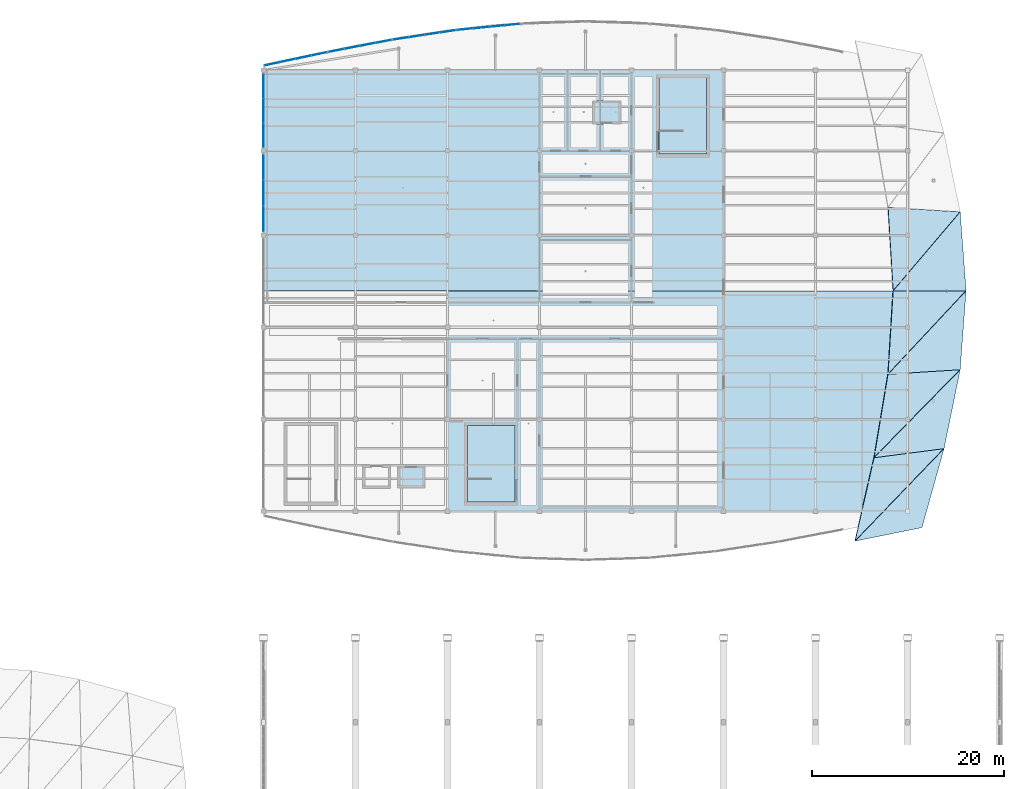
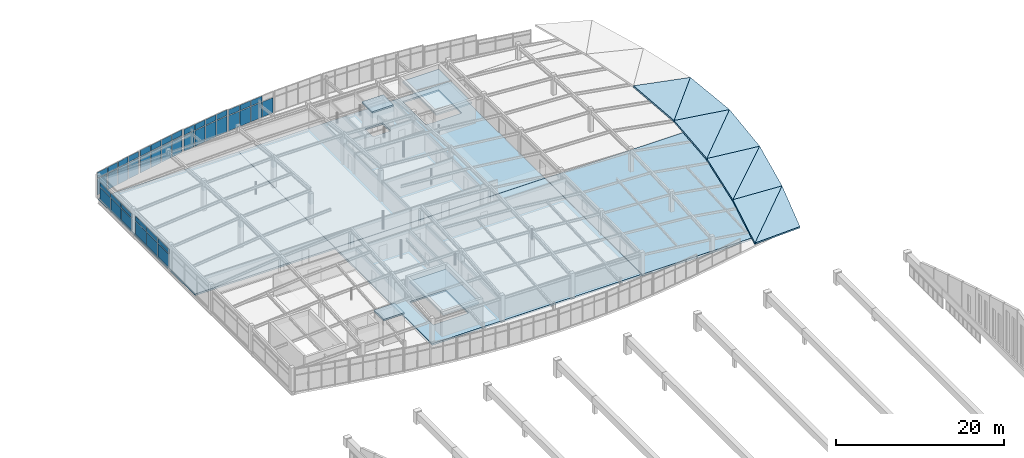
# One storey, part 56 of 65: 43 plates, 16 slabs, 6 elements without a shape of their own.
"""IFC4 building model written with IfcOpenShell, lengths in metres."""

from ifc_helpers import new_model, si_unit, direction, frame, origin, origin_2d, place, context, subcontext, project, spatial, polyline, rectangle, outline, extrude, material, layer, layer_set, type_object, element, aggregate, save


model = new_model("IFC4")

# Units and contexts
model_context = context("Model", 3, precision=1e-05, world=origin(), true_north=direction((0.0, 1.0)))
body_context = subcontext(model_context, "Body", "Model", "MODEL_VIEW")
ifc_project = project(units=[si_unit("LENGTHUNIT", "METRE"), si_unit("AREAUNIT", "SQUARE_METRE"), si_unit("VOLUMEUNIT", "CUBIC_METRE"), si_unit("PLANEANGLEUNIT", "RADIAN"), si_unit("MASSUNIT", "GRAM", prefix="KILO")], contexts=[model_context])

# Site, building, storey
site_placement = place(None, origin())
site = spatial("IfcSite", under=ifc_project, at=site_placement, CompositionType="ELEMENT")
building_placement = place(site_placement, origin())
building = spatial("IfcBuilding", under=site, at=building_placement, Name="Chalmorin Arch Market", CompositionType="ELEMENT")
storey_placement = place(building_placement, frame((0.0, 0.0, 14.10009765625)))
storey = spatial("IfcBuildingStorey", under=building, at=storey_placement, Name="L03", CompositionType="ELEMENT", Elevation=14.10009765625)

# Slabs
ifc_material_1 = material(Name="Concrete C40/50", Category="concrete")
ifc_layer_1 = layer(ifc_material_1, 0.239990234375)
ifc_layer_set_1 = layer_set([ifc_layer_1], Name="Concrete C40/50")
slab_type_1 = type_object("IfcSlabType", Name="AdminFloorSlab-240", PredefinedType="FLOOR", material=ifc_layer_set_1)
slab_1_placement = place(storey_placement, frame((0.0, 0.0, -0.239990234375)))
element("IfcSlab", 1, at=slab_1_placement, inside=storey, type_object=slab_type_1, Name="FS-240-121", PredefinedType="FLOOR", context=body_context, shape_type="SweptSolid", body=[
    extrude(outline(polyline([(48.010009765625, 95.010009765625), (67.18994140625, 95.010009765625), (67.18994140625, 118.0), (48.010009765625, 118.0), (48.010009765625, 95.010009765625)])), origin(), (0.0, 0.0, 1.0), 0.239990234375),
])
slab_2_placement = place(storey_placement, frame((0.0, 0.0, -0.239990234375)))
element("IfcSlab", 2, at=slab_2_placement, inside=storey, type_object=slab_type_1, Name="FS-240-122", PredefinedType="FLOOR", context=body_context, shape_type="SweptSolid", body=[
    extrude(outline(polyline([(67.2099609375, 72.0), (95.989990234375, 72.0), (95.989990234375, 94.989990234375), (67.2099609375, 94.989990234375), (67.2099609375, 72.0)]), holes=[polyline([(69.300048828125, 75.35009765625), (74.199951171875, 75.35009765625), (74.199951171875, 80.89990234375), (69.300048828125, 80.89990234375), (69.300048828125, 75.35009765625)])]), origin(), (0.0, 0.0, 1.0), 0.239990234375),
])
slab_3_placement = place(storey_placement, frame((0.0, 0.0, -0.239990234375)))
element("IfcSlab", 3, at=slab_3_placement, inside=storey, type_object=slab_type_1, Name="FS-240-123", PredefinedType="FLOOR", context=body_context, shape_type="SweptSolid", body=[
    extrude(outline(polyline([(67.2099609375, 95.010009765625), (95.989990234375, 95.010009765625), (95.989990234375, 118.0), (67.2099609375, 118.0), (67.2099609375, 95.010009765625)]), holes=[polyline([(89.300048828125, 111.64990234375), (94.199951171875, 111.64990234375), (94.199951171875, 117.199951171875), (89.300048828125, 117.199951171875), (89.300048828125, 111.64990234375)]), polyline([(82.60009765625, 112.64990234375), (85.0, 112.64990234375), (85.0, 114.550048828125), (82.60009765625, 114.550048828125), (82.60009765625, 112.64990234375)])]), origin(), (0.0, 0.0, 1.0), 0.239990234375),
])
ifc_layer_2 = layer(ifc_material_1, 0.219970703125)
ifc_layer_set_2 = layer_set([ifc_layer_2], Name="Concrete C40/50")
slab_type_2 = type_object("IfcSlabType", Name="ColonnadeCanopySlab-220", PredefinedType="ROOF", material=ifc_layer_set_2)
slab_4_placement = place(storey_placement, frame((0.0, 0.0, 2.75)))
element("IfcSlab", 4, at=slab_4_placement, inside=storey, type_object=slab_type_2, Name="RS-SC6-CAP", PredefinedType="ROOF", context=body_context, shape_type="SweptSolid", body=[
    extrude(outline(polyline([(89.27001953125, 109.27001953125), (94.22998046875, 109.27001953125), (94.22998046875, 117.22998046875), (89.27001953125, 117.22998046875), (89.27001953125, 109.27001953125)])), origin(), (0.0, 0.0, 1.0), 0.219970703125),
])
slab_5_placement = place(storey_placement, frame((0.0, 0.0, 2.75)))
element("IfcSlab", 5, at=slab_5_placement, inside=storey, type_object=slab_type_2, Name="RS-SC7-CAP", PredefinedType="ROOF", context=body_context, shape_type="SweptSolid", body=[
    extrude(outline(polyline([(69.27001953125, 72.969970703125), (74.22998046875, 72.969970703125), (74.22998046875, 80.929931640625), (69.27001953125, 80.929931640625), (69.27001953125, 72.969970703125)])), origin(), (0.0, 0.0, 1.0), 0.219970703125),
])
slab_6_placement = place(storey_placement, frame((0.0, 0.0, 3.64990234375)))
element("IfcSlab", 6, at=slab_6_placement, inside=storey, type_object=slab_type_2, Name="RS-LF-FF2-OVR", PredefinedType="ROOF", context=body_context, shape_type="SweptSolid", body=[
    extrude(outline(polyline([(82.330078125, 112.3798828125), (85.27001953125, 112.3798828125), (85.27001953125, 114.820068359375), (82.330078125, 114.820068359375), (82.330078125, 112.3798828125)])), origin(), (0.0, 0.0, 1.0), 0.219970703125),
])
slab_7_placement = place(storey_placement, frame((0.0, 0.0, 3.64990234375)))
element("IfcSlab", 7, at=slab_7_placement, inside=storey, type_object=slab_type_2, Name="RS-LF-P4-OVR", PredefinedType="ROOF", context=body_context, shape_type="SweptSolid", body=[
    extrude(outline(polyline([(61.97998046875, 74.455078125), (64.820068359375, 74.455078125), (64.820068359375, 76.7451171875), (61.97998046875, 76.7451171875), (61.97998046875, 74.455078125)])), origin(), (0.0, 0.0, 1.0), 0.219970703125),
])
ifc_layer_3 = layer(ifc_material_1, 0.300048828125)
ifc_layer_set_3 = layer_set([ifc_layer_3], Name="Concrete C40/50")
slab_type_3 = type_object("IfcSlabType", Name="RoofGardenDeckSlab-300", PredefinedType="FLOOR", material=ifc_layer_set_3)
slab_8_placement = place(storey_placement, frame((0.0, 0.0, -0.300048828125)))
element("IfcSlab", 8, at=slab_8_placement, inside=storey, type_object=slab_type_3, Name="ETS-300-124", PredefinedType="FLOOR", context=body_context, shape_type="SweptSolid", body=[
    extrude(outline(polyline([(96.02001953125, 72.0), (115.179931640625, 72.0), (115.179931640625, 94.989990234375), (96.02001953125, 94.989990234375), (96.02001953125, 72.0)])), origin(), (0.0, 0.0, 1.0), 0.300048828125),
])

# Curtain wall, plates
ifc_material_2 = material(Name="Aluminium 6063-T6", Category="aluminium")
ifc_layer_4 = layer(ifc_material_2, 0.159912109375)
ifc_layer_set_4 = layer_set([ifc_layer_4], Name="Aluminium 6063-T6")
curtain_wall_type_1 = type_object("IfcCurtainWallType", Name="CulinaryStudioCurtainWall-CW3-8080x2820", PredefinedType="NOTDEFINED", material=ifc_layer_set_4)
curtain_wall_1_placement = place(storey_placement, origin())
curtain_wall_1 = element("IfcCurtainWall", 9, at=curtain_wall_1_placement, inside=storey, type_object=curtain_wall_type_1, Name="CW-03-117", PredefinedType="NOTDEFINED")
ifc_material_3 = material(Name="Powder-coated Aluminium Panel", Category="aluminium")
ifc_layer_5 = layer(ifc_material_3, 0.0400390625)
ifc_layer_set_5 = layer_set([ifc_layer_5], Name="Powder-coated Aluminium Panel")
plate_type_1 = type_object("IfcPlateType", Name="ShadowboxSpandrelPanel-40", PredefinedType="CURTAIN_PANEL", material=ifc_layer_set_5)
plate_1_placement = place(storey_placement, frame((48.0, 102.506591796875, 2.07177734375), z_axis=(0.0, 0.0, 1.0), x_axis=(0.0, 1.0, 0.0)))
plate_1 = element("IfcPlate", 10, at=plate_1_placement, type_object=plate_type_1, Name="SP-40-117-01B", PredefinedType="CURTAIN_PANEL", context=body_context, shape_type="SweptSolid", body=[
    extrude(rectangle(XDim=2.61328125, YDim=0.0400390625, at=origin_2d()), origin(), (0.0, 0.0, 1.0), 0.673095703125),
])
plate_2_placement = place(storey_placement, frame((48.0, 105.199951171875, 2.07177734375), z_axis=(0.0, 0.0, 1.0), x_axis=(0.0, 1.0, 0.0)))
plate_2 = element("IfcPlate", 11, at=plate_2_placement, type_object=plate_type_1, Name="SP-40-117-02B", PredefinedType="CURTAIN_PANEL", context=body_context, shape_type="SweptSolid", body=[
    extrude(rectangle(XDim=2.61328125, YDim=0.0400390625, at=origin_2d()), origin(), (0.0, 0.0, 1.0), 0.673095703125),
])
plate_3_placement = place(storey_placement, frame((48.0, 107.893310546875, 2.07177734375), z_axis=(0.0, 0.0, 1.0), x_axis=(0.0, 1.0, 0.0)))
plate_3 = element("IfcPlate", 12, at=plate_3_placement, type_object=plate_type_1, Name="SP-40-117-03B", PredefinedType="CURTAIN_PANEL", context=body_context, shape_type="SweptSolid", body=[
    extrude(rectangle(XDim=2.61328125, YDim=0.0400390625, at=origin_2d()), origin(), (0.0, 0.0, 1.0), 0.673095703125),
])

ifc_layer_6 = layer(ifc_material_2, 0.159912109375)
ifc_layer_set_6 = layer_set([ifc_layer_6], Name="Aluminium 6063-T6")
curtain_wall_type_2 = type_object("IfcCurtainWallType", Name="CulinaryStudioCurtainWall-CW3-7680x2570", PredefinedType="NOTDEFINED", material=ifc_layer_set_6)
curtain_wall_2_placement = place(storey_placement, origin())
curtain_wall_2 = element("IfcCurtainWall", 13, at=curtain_wall_2_placement, inside=storey, type_object=curtain_wall_type_2, Name="CW-03-120", PredefinedType="NOTDEFINED")
plate_4_placement = place(storey_placement, frame((48.0, 111.239990234375, 1.892333984375), z_axis=(0.0, 0.0, 1.0), x_axis=(0.0, 1.0, 0.0)))
plate_4 = element("IfcPlate", 14, at=plate_4_placement, type_object=plate_type_1, Name="SP-40-120-01B", PredefinedType="CURTAIN_PANEL", context=body_context, shape_type="SweptSolid", body=[
    extrude(rectangle(XDim=2.47998046875, YDim=0.0400390625, at=origin_2d()), origin(), (0.0, 0.0, 1.0), 0.603515625),
])
plate_5_placement = place(storey_placement, frame((48.0, 113.800048828125, 1.892333984375), z_axis=(0.0, 0.0, 1.0), x_axis=(0.0, 1.0, 0.0)))
plate_5 = element("IfcPlate", 15, at=plate_5_placement, type_object=plate_type_1, Name="SP-40-120-02B", PredefinedType="CURTAIN_PANEL", context=body_context, shape_type="SweptSolid", body=[
    extrude(rectangle(XDim=2.47998046875, YDim=0.0400390625, at=origin_2d()), origin(), (0.0, 0.0, 1.0), 0.603515625),
])
plate_6_placement = place(storey_placement, frame((48.0, 116.360107421875, 1.892333984375), z_axis=(0.0, 0.0, 1.0), x_axis=(0.0, 1.0, 0.0)))
plate_6 = element("IfcPlate", 16, at=plate_6_placement, type_object=plate_type_1, Name="SP-40-120-03B", PredefinedType="CURTAIN_PANEL", context=body_context, shape_type="SweptSolid", body=[
    extrude(rectangle(XDim=2.47998046875, YDim=0.0400390625, at=origin_2d()), origin(), (0.0, 0.0, 1.0), 0.603515625),
])

ifc_layer_7 = layer(ifc_material_2, 0.159912109375)
ifc_layer_set_7 = layer_set([ifc_layer_7], Name="Aluminium 6063-T6")
curtain_wall_type_3 = type_object("IfcCurtainWallType", Name="CulinaryStudioCurtainWall-CW3-6690x3420", PredefinedType="NOTDEFINED", material=ifc_layer_set_7)
curtain_wall_3_placement = place(storey_placement, origin())
curtain_wall_3 = element("IfcCurtainWall", 17, at=curtain_wall_3_placement, inside=storey, type_object=curtain_wall_type_3, Name="CW-03-123", PredefinedType="NOTDEFINED")
plate_7_placement = place(storey_placement, frame((48.906005859375, 118.671630859375, 2.484375), z_axis=(0.0, 0.0, 1.0), x_axis=(0.978147600734, 0.207911690818, 0.0)))
plate_7 = element("IfcPlate", 18, at=plate_7_placement, type_object=plate_type_1, Name="SP-40-123-01B", PredefinedType="CURTAIN_PANEL", context=body_context, shape_type="SweptSolid", body=[
    extrude(rectangle(XDim=1.592041015625, YDim=0.0400390625, at=origin_2d()), origin(), (0.0, 0.0, 1.0), 0.841552734375),
])
plate_8_placement = place(storey_placement, frame((50.5419921875, 119.017578125, 2.484375), z_axis=(0.0, 0.0, 1.0), x_axis=(0.978147600734, 0.207911690818, 0.0)))
plate_8 = element("IfcPlate", 19, at=plate_8_placement, type_object=plate_type_1, Name="SP-40-123-02B", PredefinedType="CURTAIN_PANEL", context=body_context, shape_type="SweptSolid", body=[
    extrude(rectangle(XDim=1.592041015625, YDim=0.0400390625, at=origin_2d()), origin(), (0.0, 0.0, 1.0), 0.841552734375),
])
plate_9_placement = place(storey_placement, frame((52.177978515625, 119.363525390625, 2.484375), z_axis=(0.0, 0.0, 1.0), x_axis=(0.978147600734, 0.207911690818, 0.0)))
plate_9 = element("IfcPlate", 20, at=plate_9_placement, type_object=plate_type_1, Name="SP-40-123-03B", PredefinedType="CURTAIN_PANEL", context=body_context, shape_type="SweptSolid", body=[
    extrude(rectangle(XDim=1.592041015625, YDim=0.0400390625, at=origin_2d()), origin(), (0.0, 0.0, 1.0), 0.841552734375),
])
plate_10_placement = place(storey_placement, frame((53.81396484375, 119.70947265625, 2.484375), z_axis=(0.0, 0.0, 1.0), x_axis=(0.978147600734, 0.207911690818, 0.0)))
plate_10 = element("IfcPlate", 21, at=plate_10_placement, type_object=plate_type_1, Name="SP-40-123-04B", PredefinedType="CURTAIN_PANEL", context=body_context, shape_type="SweptSolid", body=[
    extrude(rectangle(XDim=1.592041015625, YDim=0.0400390625, at=origin_2d()), origin(), (0.0, 0.0, 1.0), 0.841552734375),
])

ifc_layer_8 = layer(ifc_material_2, 0.159912109375)
ifc_layer_set_8 = layer_set([ifc_layer_8], Name="Aluminium 6063-T6")
curtain_wall_type_4 = type_object("IfcCurtainWallType", Name="CulinaryStudioCurtainWall-CW3-6660x3420", PredefinedType="NOTDEFINED", material=ifc_layer_set_8)
curtain_wall_4_placement = place(storey_placement, origin())
curtain_wall_4 = element("IfcCurtainWall", 22, at=curtain_wall_4_placement, inside=storey, type_object=curtain_wall_type_4, Name="CW-03-126", PredefinedType="NOTDEFINED")
plate_11_placement = place(storey_placement, frame((55.626220703125, 120.073974609375, 2.48779296875), z_axis=(0.0, 0.0, 1.0), x_axis=(0.981627183448, 0.190808995377, 0.0)))
plate_11 = element("IfcPlate", 23, at=plate_11_placement, type_object=plate_type_1, Name="SP-40-126-01B", PredefinedType="CURTAIN_PANEL", context=body_context, shape_type="SweptSolid", body=[
    extrude(rectangle(XDim=1.58544921875, YDim=0.0400390625, at=origin_2d()), origin(), (0.0, 0.0, 1.0), 0.843017578125),
])
plate_12_placement = place(storey_placement, frame((57.26220703125, 120.386474609375, 2.48779296875), z_axis=(0.0, 0.0, 1.0), x_axis=(0.981627183448, 0.190808995377, 0.0)))
plate_12 = element("IfcPlate", 24, at=plate_12_placement, type_object=plate_type_1, Name="SP-40-126-02B", PredefinedType="CURTAIN_PANEL", context=body_context, shape_type="SweptSolid", body=[
    extrude(rectangle(XDim=1.58544921875, YDim=0.0400390625, at=origin_2d()), origin(), (0.0, 0.0, 1.0), 0.843017578125),
])
plate_13_placement = place(storey_placement, frame((58.89794921875, 120.69873046875, 2.48779296875), z_axis=(0.0, 0.0, 1.0), x_axis=(0.981627183448, 0.190808995377, 0.0)))
plate_13 = element("IfcPlate", 25, at=plate_13_placement, type_object=plate_type_1, Name="SP-40-126-03B", PredefinedType="CURTAIN_PANEL", context=body_context, shape_type="SweptSolid", body=[
    extrude(rectangle(XDim=1.58544921875, YDim=0.0400390625, at=origin_2d()), origin(), (0.0, 0.0, 1.0), 0.843017578125),
])
plate_14_placement = place(storey_placement, frame((60.53369140625, 121.010986328125, 2.48779296875), z_axis=(0.0, 0.0, 1.0), x_axis=(0.981627183448, 0.190808995377, 0.0)))
plate_14 = element("IfcPlate", 26, at=plate_14_placement, type_object=plate_type_1, Name="SP-40-126-04B", PredefinedType="CURTAIN_PANEL", context=body_context, shape_type="SweptSolid", body=[
    extrude(rectangle(XDim=1.58544921875, YDim=0.0400390625, at=origin_2d()), origin(), (0.0, 0.0, 1.0), 0.843017578125),
])

ifc_layer_9 = layer(ifc_material_2, 0.159912109375)
ifc_layer_set_9 = layer_set([ifc_layer_9], Name="Aluminium 6063-T6")
curtain_wall_type_5 = type_object("IfcCurtainWallType", Name="CulinaryStudioCurtainWall-CW3-6620x3330", PredefinedType="NOTDEFINED", material=ifc_layer_set_9)
curtain_wall_5_placement = place(storey_placement, origin())
curtain_wall_5 = element("IfcCurtainWall", 27, at=curtain_wall_5_placement, inside=storey, type_object=curtain_wall_type_5, Name="CW-03-129", PredefinedType="NOTDEFINED")
plate_15_placement = place(storey_placement, frame((62.3466796875, 121.3212890625, 2.4248046875), z_axis=(0.0, 0.0, 1.0), x_axis=(0.987688340595, 0.15643446504, 0.0)))
plate_15 = element("IfcPlate", 28, at=plate_15_placement, type_object=plate_type_1, Name="SP-40-129-01B", PredefinedType="CURTAIN_PANEL", context=body_context, shape_type="SweptSolid", body=[
    extrude(rectangle(XDim=1.57421875, YDim=0.0400390625, at=origin_2d()), origin(), (0.0, 0.0, 1.0), 0.818115234375),
])
plate_16_placement = place(storey_placement, frame((63.982421875, 121.56884765625, 2.4248046875), z_axis=(0.0, 0.0, 1.0), x_axis=(0.987688340595, 0.15643446504, 0.0)))
plate_16 = element("IfcPlate", 29, at=plate_16_placement, type_object=plate_type_1, Name="SP-40-129-02B", PredefinedType="CURTAIN_PANEL", context=body_context, shape_type="SweptSolid", body=[
    extrude(rectangle(XDim=1.57421875, YDim=0.0400390625, at=origin_2d()), origin(), (0.0, 0.0, 1.0), 0.818115234375),
])
plate_17_placement = place(storey_placement, frame((65.617919921875, 121.816162109375, 2.4248046875), z_axis=(0.0, 0.0, 1.0), x_axis=(0.987688340595, 0.15643446504, 0.0)))
plate_17 = element("IfcPlate", 30, at=plate_17_placement, type_object=plate_type_1, Name="SP-40-129-03B", PredefinedType="CURTAIN_PANEL", context=body_context, shape_type="SweptSolid", body=[
    extrude(rectangle(XDim=1.57421875, YDim=0.0400390625, at=origin_2d()), origin(), (0.0, 0.0, 1.0), 0.818115234375),
])
plate_18_placement = place(storey_placement, frame((67.253173828125, 122.063720703125, 2.4248046875), z_axis=(0.0, 0.0, 1.0), x_axis=(0.987688340595, 0.15643446504, 0.0)))
plate_18 = element("IfcPlate", 31, at=plate_18_placement, type_object=plate_type_1, Name="SP-40-129-04B", PredefinedType="CURTAIN_PANEL", context=body_context, shape_type="SweptSolid", body=[
    extrude(rectangle(XDim=1.57421875, YDim=0.0400390625, at=origin_2d()), origin(), (0.0, 0.0, 1.0), 0.818115234375),
])

ifc_layer_10 = layer(ifc_material_2, 0.159912109375)
ifc_layer_set_10 = layer_set([ifc_layer_10], Name="Aluminium 6063-T6")
curtain_wall_type_6 = type_object("IfcCurtainWallType", Name="CulinaryStudioCurtainWall-CW3-6570x3230", PredefinedType="NOTDEFINED", material=ifc_layer_set_10)
curtain_wall_6_placement = place(storey_placement, origin())
curtain_wall_6 = element("IfcCurtainWall", 32, at=curtain_wall_6_placement, inside=storey, type_object=curtain_wall_type_6, Name="CW-03-132", PredefinedType="NOTDEFINED")
plate_19_placement = place(storey_placement, frame((69.067138671875, 122.289306640625, 2.3505859375), z_axis=(0.0, 0.0, 1.0), x_axis=(0.994521895368, 0.104528463268, 0.0)))
plate_19 = element("IfcPlate", 33, at=plate_19_placement, type_object=plate_type_1, Name="SP-40-132-01B", PredefinedType="CURTAIN_PANEL", context=body_context, shape_type="SweptSolid", body=[
    extrude(rectangle(XDim=1.56298828125, YDim=0.0400390625, at=origin_2d()), origin(), (0.0, 0.0, 1.0), 0.789306640625),
])
plate_20_placement = place(storey_placement, frame((70.702392578125, 122.448486328125, 2.3505859375), z_axis=(0.0, 0.0, 1.0), x_axis=(0.994521895368, 0.104528463268, 0.0)))
plate_20 = element("IfcPlate", 34, at=plate_20_placement, type_object=plate_type_1, Name="SP-40-132-02B", PredefinedType="CURTAIN_PANEL", context=body_context, shape_type="SweptSolid", body=[
    extrude(rectangle(XDim=1.56298828125, YDim=0.0400390625, at=origin_2d()), origin(), (0.0, 0.0, 1.0), 0.789306640625),
])
plate_21_placement = place(storey_placement, frame((72.337646484375, 122.607666015625, 2.3505859375), z_axis=(0.0, 0.0, 1.0), x_axis=(0.994521895368, 0.104528463268, 0.0)))
plate_21 = element("IfcPlate", 35, at=plate_21_placement, type_object=plate_type_1, Name="SP-40-132-03B", PredefinedType="CURTAIN_PANEL", context=body_context, shape_type="SweptSolid", body=[
    extrude(rectangle(XDim=1.56298828125, YDim=0.0400390625, at=origin_2d()), origin(), (0.0, 0.0, 1.0), 0.789306640625),
])

# Slabs
ifc_layer_11 = layer(ifc_material_1, 0.22509765625)
ifc_layer_set_11 = layer_set([ifc_layer_11], Name="Concrete C40/50")
slab_type_4 = type_object("IfcSlabType", Name="StudioSlopedRoofSlab-225", PredefinedType="ROOF", material=ifc_layer_set_11)
slab_9_placement = place(storey_placement, frame((109.7099609375, 68.87890625, 1.635009765625), z_axis=(0.140050140642, -0.051500140449, 0.988804173555), x_axis=(0.971969848427, 0.197612255517, -0.127373506734)))
element("IfcSlab", 36, at=slab_9_placement, inside=storey, type_object=slab_type_4, Name="RS-225-346", PredefinedType="ROOF", context=body_context, shape_type="SweptSolid", body=[
    extrude(outline(polyline([(0.0, 0.0), (7.191571061267613, 6.938893903907228e-17), (11.040950163495001, 7.633081252910833), (0.0, 0.0)])), origin(), (0.0, 0.0, -1.0), 0.22509765625),
])
slab_10_placement = place(storey_placement, frame((109.7099609375, 68.87890625, 1.635009765625), z_axis=(0.160860393525, -0.071900422202, 0.984354744532), x_axis=(0.692118578652, 0.719238015232, -0.060568560573)))
element("IfcSlab", 37, at=slab_10_placement, inside=storey, type_object=slab_type_4, Name="RS-225-347", PredefinedType="ROOF", context=body_context, shape_type="SweptSolid", body=[
    extrude(outline(polyline([(0.0, 0.0), (13.422611889133917, 3.885780586188048e-16), (7.620912922907124, 4.668054369675322), (0.0, 0.0)])), origin(), (0.0, 0.0, -1.0), 0.22509765625),
])
slab_11_placement = place(storey_placement, frame((111.699951171875, 77.5859375, 1.94580078125), z_axis=(0.158623040762, -0.052788180354, 0.985927045452), x_axis=(0.980332175671, 0.127176633204, -0.150913648527)))
element("IfcSlab", 38, at=slab_11_placement, inside=storey, type_object=slab_type_4, Name="RS-225-348", PredefinedType="ROOF", context=body_context, shape_type="SweptSolid", body=[
    extrude(outline(polyline([(0.0, 0.0), (7.4465053879629926, 8.326672684688674e-17), (10.11901069960005, 7.970171397163681), (0.0, 0.0)])), origin(), (0.0, 0.0, -1.0), 0.22509765625),
])
slab_12_placement = place(storey_placement, frame((111.699951171875, 77.5859375, 1.94580078125), z_axis=(0.151212549793, -0.045377534967, 0.987459186045), x_axis=(0.69747605816, 0.712771668881, -0.074051984)))
element("IfcSlab", 39, at=slab_12_placement, inside=storey, type_object=slab_type_4, Name="RS-225-349", PredefinedType="ROOF", context=body_context, shape_type="SweptSolid", body=[
    extrude(outline(polyline([(0.0, 0.0), (12.880916490637858, 9.992007221626409e-16), (7.209262262127094, 5.098352731935417), (0.0, 0.0)])), origin(), (0.0, 0.0, -1.0), 0.22509765625),
])
slab_13_placement = place(storey_placement, frame((113.156982421875, 86.29296875, 2.122802734375), z_axis=(0.150016782569, -0.024178866277, 0.988387751529), x_axis=(0.986988846645, 0.062168996795, -0.148283621604)))
element("IfcSlab", 40, at=slab_13_placement, inside=storey, type_object=slab_type_4, Name="RS-225-350", PredefinedType="ROOF", context=body_context, shape_type="SweptSolid", body=[
    extrude(outline(polyline([(0.0, 0.0), (7.6263269184462175, -9.020562075079397e-17), (8.730109733205818, 8.182513845720038), (0.0, 0.0)])), origin(), (0.0, 0.0, -1.0), 0.22509765625),
])
slab_14_placement = place(storey_placement, frame((113.156982421875, 86.29296875, 2.122802734375), z_axis=(0.140254015571, -0.014858552968, 0.99000405783), x_axis=(0.680556942069, 0.727690315463, -0.085493001957)))
element("IfcSlab", 41, at=slab_14_placement, inside=storey, type_object=slab_type_4, Name="RS-225-351", PredefinedType="ROOF", context=body_context, shape_type="SweptSolid", body=[
    extrude(outline(polyline([(0.0, 0.0), (11.965297689118106, 3.7470027081099033e-16), (6.6940141105364805, 5.59371593149649), (0.0, 0.0)])), origin(), (0.0, 0.0, -1.0), 0.22509765625),
])
slab_15_placement = place(storey_placement, frame((113.68994140625, 95.0, 2.177978515625), z_axis=(0.140230876113, 0.023465752347, 0.989840724486), x_axis=(0.990113360792, 0.0, -0.140269500538)))
element("IfcSlab", 42, at=slab_15_placement, inside=storey, type_object=slab_type_4, Name="RS-225-352", PredefinedType="ROOF", context=body_context, shape_type="SweptSolid", body=[
    extrude(outline(polyline([(0.0, 0.0), (7.686097090728296, -6.938893903907228e-18), (7.091356639058198, 8.235177783916143), (0.0, 0.0)])), origin(), (0.0, 0.0, -1.0), 0.22509765625),
])
slab_16_placement = place(storey_placement, frame((113.68994140625, 95.0, 2.177978515625), z_axis=(0.149502888159, 0.015416041227, 0.988641103791), x_axis=(0.643575219169, 0.75756225708, -0.109134613751)))
element("IfcSlab", 43, at=slab_16_placement, inside=storey, type_object=slab_type_4, Name="RS-225-353", PredefinedType="ROOF", context=body_context, shape_type="SweptSolid", body=[
    extrude(outline(polyline([(0.0, 0.0), (10.867635074615855, 6.938893903907228e-17), (6.259140638615499, 6.076400357149875), (0.0, 0.0)])), origin(), (0.0, 0.0, -1.0), 0.22509765625),
])

# Plate
ifc_material_4 = material(Name="Low-E Tempered Glass", Category="glass")
ifc_layer_12 = layer(ifc_material_4, 0.028076171875)
ifc_layer_set_12 = layer_set([ifc_layer_12], Name="Low-E Tempered Glass")
plate_type_2 = type_object("IfcPlateType", Name="VisionIGUPanel-28", PredefinedType="CURTAIN_PANEL", material=ifc_layer_set_12)
plate_22_placement = place(storey_placement, frame((48.0, 102.506591796875, 0.06982421875), z_axis=(0.0, 0.0, 1.0), x_axis=(0.0, 1.0, 0.0)))
plate_22 = element("IfcPlate", 44, at=plate_22_placement, type_object=plate_type_2, Name="GL-28-117-01A", PredefinedType="CURTAIN_PANEL", context=body_context, shape_type="SweptSolid", body=[
    extrude(rectangle(XDim=2.61328125, YDim=0.028076171875, at=origin_2d()), origin(), (0.0, 0.0, 1.0), 1.911865234375),
])

plate_23_placement = place(storey_placement, frame((48.0, 105.199951171875, 0.06982421875), z_axis=(0.0, 0.0, 1.0), x_axis=(0.0, 1.0, 0.0)))
plate_23 = element("IfcPlate", 45, at=plate_23_placement, type_object=plate_type_2, Name="GL-28-117-02A", PredefinedType="CURTAIN_PANEL", context=body_context, shape_type="SweptSolid", body=[
    extrude(rectangle(XDim=2.61328125, YDim=0.028076171875, at=origin_2d()), origin(), (0.0, 0.0, 1.0), 1.911865234375),
])

plate_24_placement = place(storey_placement, frame((48.0, 107.893310546875, 0.06982421875), z_axis=(0.0, 0.0, 1.0), x_axis=(0.0, 1.0, 0.0)))
plate_24 = element("IfcPlate", 46, at=plate_24_placement, type_object=plate_type_2, Name="GL-28-117-03A", PredefinedType="CURTAIN_PANEL", context=body_context, shape_type="SweptSolid", body=[
    extrude(rectangle(XDim=2.61328125, YDim=0.028076171875, at=origin_2d()), origin(), (0.0, 0.0, 1.0), 1.911865234375),
])

aggregate(curtain_wall_1, [plate_22, plate_1, plate_23, plate_2, plate_24, plate_3])

plate_25_placement = place(storey_placement, frame((48.0, 111.239990234375, 0.06982421875), z_axis=(0.0, 0.0, 1.0), x_axis=(0.0, 1.0, 0.0)))
plate_25 = element("IfcPlate", 47, at=plate_25_placement, type_object=plate_type_2, Name="GL-28-120-01A", PredefinedType="CURTAIN_PANEL", context=body_context, shape_type="SweptSolid", body=[
    extrude(rectangle(XDim=2.47998046875, YDim=0.028076171875, at=origin_2d()), origin(), (0.0, 0.0, 1.0), 1.732421875),
])

plate_26_placement = place(storey_placement, frame((48.0, 113.800048828125, 0.06982421875), z_axis=(0.0, 0.0, 1.0), x_axis=(0.0, 1.0, 0.0)))
plate_26 = element("IfcPlate", 48, at=plate_26_placement, type_object=plate_type_2, Name="GL-28-120-02A", PredefinedType="CURTAIN_PANEL", context=body_context, shape_type="SweptSolid", body=[
    extrude(rectangle(XDim=2.47998046875, YDim=0.028076171875, at=origin_2d()), origin(), (0.0, 0.0, 1.0), 1.732421875),
])

plate_27_placement = place(storey_placement, frame((48.0, 116.360107421875, 0.06982421875), z_axis=(0.0, 0.0, 1.0), x_axis=(0.0, 1.0, 0.0)))
plate_27 = element("IfcPlate", 49, at=plate_27_placement, type_object=plate_type_2, Name="GL-28-120-03A", PredefinedType="CURTAIN_PANEL", context=body_context, shape_type="SweptSolid", body=[
    extrude(rectangle(XDim=2.47998046875, YDim=0.028076171875, at=origin_2d()), origin(), (0.0, 0.0, 1.0), 1.732421875),
])

aggregate(curtain_wall_2, [plate_25, plate_4, plate_26, plate_5, plate_27, plate_6])

plate_28_placement = place(storey_placement, frame((48.906005859375, 118.671630859375, 0.0498046875), z_axis=(0.0, 0.0, 1.0), x_axis=(0.978147600734, 0.207911690818, 0.0)))
plate_28 = element("IfcPlate", 50, at=plate_28_placement, type_object=plate_type_2, Name="GL-28-123-01A", PredefinedType="CURTAIN_PANEL", context=body_context, shape_type="SweptSolid", body=[
    extrude(rectangle(XDim=1.592041015625, YDim=0.028076171875, at=origin_2d()), origin(), (0.0, 0.0, 1.0), 2.344482421875),
])

plate_29_placement = place(storey_placement, frame((50.5419921875, 119.017578125, 0.0498046875), z_axis=(0.0, 0.0, 1.0), x_axis=(0.978147600734, 0.207911690818, 0.0)))
plate_29 = element("IfcPlate", 51, at=plate_29_placement, type_object=plate_type_2, Name="GL-28-123-02A", PredefinedType="CURTAIN_PANEL", context=body_context, shape_type="SweptSolid", body=[
    extrude(rectangle(XDim=1.592041015625, YDim=0.028076171875, at=origin_2d()), origin(), (0.0, 0.0, 1.0), 2.344482421875),
])

plate_30_placement = place(storey_placement, frame((52.177978515625, 119.363525390625, 0.0498046875), z_axis=(0.0, 0.0, 1.0), x_axis=(0.978147600734, 0.207911690818, 0.0)))
plate_30 = element("IfcPlate", 52, at=plate_30_placement, type_object=plate_type_2, Name="GL-28-123-03A", PredefinedType="CURTAIN_PANEL", context=body_context, shape_type="SweptSolid", body=[
    extrude(rectangle(XDim=1.592041015625, YDim=0.028076171875, at=origin_2d()), origin(), (0.0, 0.0, 1.0), 2.344482421875),
])

plate_31_placement = place(storey_placement, frame((53.81396484375, 119.70947265625, 0.0498046875), z_axis=(0.0, 0.0, 1.0), x_axis=(0.978147600734, 0.207911690818, 0.0)))
plate_31 = element("IfcPlate", 53, at=plate_31_placement, type_object=plate_type_2, Name="GL-28-123-04A", PredefinedType="CURTAIN_PANEL", context=body_context, shape_type="SweptSolid", body=[
    extrude(rectangle(XDim=1.592041015625, YDim=0.028076171875, at=origin_2d()), origin(), (0.0, 0.0, 1.0), 2.344482421875),
])

aggregate(curtain_wall_3, [plate_28, plate_7, plate_29, plate_8, plate_30, plate_9, plate_31, plate_10])

plate_32_placement = place(storey_placement, frame((55.626220703125, 120.073974609375, 0.0498046875), z_axis=(0.0, 0.0, 1.0), x_axis=(0.981627183448, 0.190808995377, 0.0)))
plate_32 = element("IfcPlate", 54, at=plate_32_placement, type_object=plate_type_2, Name="GL-28-126-01A", PredefinedType="CURTAIN_PANEL", context=body_context, shape_type="SweptSolid", body=[
    extrude(rectangle(XDim=1.58544921875, YDim=0.028076171875, at=origin_2d()), origin(), (0.0, 0.0, 1.0), 2.34814453125),
])

plate_33_placement = place(storey_placement, frame((57.26220703125, 120.386474609375, 0.0498046875), z_axis=(0.0, 0.0, 1.0), x_axis=(0.981627183448, 0.190808995377, 0.0)))
plate_33 = element("IfcPlate", 55, at=plate_33_placement, type_object=plate_type_2, Name="GL-28-126-02A", PredefinedType="CURTAIN_PANEL", context=body_context, shape_type="SweptSolid", body=[
    extrude(rectangle(XDim=1.58544921875, YDim=0.028076171875, at=origin_2d()), origin(), (0.0, 0.0, 1.0), 2.34814453125),
])

plate_34_placement = place(storey_placement, frame((58.89794921875, 120.69873046875, 0.0498046875), z_axis=(0.0, 0.0, 1.0), x_axis=(0.981627183448, 0.190808995377, 0.0)))
plate_34 = element("IfcPlate", 56, at=plate_34_placement, type_object=plate_type_2, Name="GL-28-126-03A", PredefinedType="CURTAIN_PANEL", context=body_context, shape_type="SweptSolid", body=[
    extrude(rectangle(XDim=1.58544921875, YDim=0.028076171875, at=origin_2d()), origin(), (0.0, 0.0, 1.0), 2.34814453125),
])

plate_35_placement = place(storey_placement, frame((60.53369140625, 121.010986328125, 0.0498046875), z_axis=(0.0, 0.0, 1.0), x_axis=(0.981627183448, 0.190808995377, 0.0)))
plate_35 = element("IfcPlate", 57, at=plate_35_placement, type_object=plate_type_2, Name="GL-28-126-04A", PredefinedType="CURTAIN_PANEL", context=body_context, shape_type="SweptSolid", body=[
    extrude(rectangle(XDim=1.58544921875, YDim=0.028076171875, at=origin_2d()), origin(), (0.0, 0.0, 1.0), 2.34814453125),
])

aggregate(curtain_wall_4, [plate_32, plate_11, plate_33, plate_12, plate_34, plate_13, plate_35, plate_14])

plate_36_placement = place(storey_placement, frame((62.3466796875, 121.3212890625, 0.0498046875), z_axis=(0.0, 0.0, 1.0), x_axis=(0.987688340595, 0.15643446504, 0.0)))
plate_36 = element("IfcPlate", 58, at=plate_36_placement, type_object=plate_type_2, Name="GL-28-129-01A", PredefinedType="CURTAIN_PANEL", context=body_context, shape_type="SweptSolid", body=[
    extrude(rectangle(XDim=1.57421875, YDim=0.028076171875, at=origin_2d()), origin(), (0.0, 0.0, 1.0), 2.284912109375),
])

plate_37_placement = place(storey_placement, frame((63.982421875, 121.56884765625, 0.0498046875), z_axis=(0.0, 0.0, 1.0), x_axis=(0.987688340595, 0.15643446504, 0.0)))
plate_37 = element("IfcPlate", 59, at=plate_37_placement, type_object=plate_type_2, Name="GL-28-129-02A", PredefinedType="CURTAIN_PANEL", context=body_context, shape_type="SweptSolid", body=[
    extrude(rectangle(XDim=1.57421875, YDim=0.028076171875, at=origin_2d()), origin(), (0.0, 0.0, 1.0), 2.284912109375),
])

plate_38_placement = place(storey_placement, frame((65.617919921875, 121.816162109375, 0.0498046875), z_axis=(0.0, 0.0, 1.0), x_axis=(0.987688340595, 0.15643446504, 0.0)))
plate_38 = element("IfcPlate", 60, at=plate_38_placement, type_object=plate_type_2, Name="GL-28-129-03A", PredefinedType="CURTAIN_PANEL", context=body_context, shape_type="SweptSolid", body=[
    extrude(rectangle(XDim=1.57421875, YDim=0.028076171875, at=origin_2d()), origin(), (0.0, 0.0, 1.0), 2.284912109375),
])

plate_39_placement = place(storey_placement, frame((67.253173828125, 122.063720703125, 0.0498046875), z_axis=(0.0, 0.0, 1.0), x_axis=(0.987688340595, 0.15643446504, 0.0)))
plate_39 = element("IfcPlate", 61, at=plate_39_placement, type_object=plate_type_2, Name="GL-28-129-04A", PredefinedType="CURTAIN_PANEL", context=body_context, shape_type="SweptSolid", body=[
    extrude(rectangle(XDim=1.57421875, YDim=0.028076171875, at=origin_2d()), origin(), (0.0, 0.0, 1.0), 2.284912109375),
])

aggregate(curtain_wall_5, [plate_36, plate_15, plate_37, plate_16, plate_38, plate_17, plate_39, plate_18])

plate_40_placement = place(storey_placement, frame((69.067138671875, 122.289306640625, 0.0498046875), z_axis=(0.0, 0.0, 1.0), x_axis=(0.994521895368, 0.104528463268, 0.0)))
plate_40 = element("IfcPlate", 62, at=plate_40_placement, type_object=plate_type_2, Name="GL-28-132-01A", PredefinedType="CURTAIN_PANEL", context=body_context, shape_type="SweptSolid", body=[
    extrude(rectangle(XDim=1.56298828125, YDim=0.028076171875, at=origin_2d()), origin(), (0.0, 0.0, 1.0), 2.210693359375),
])

plate_41_placement = place(storey_placement, frame((70.702392578125, 122.448486328125, 0.0498046875), z_axis=(0.0, 0.0, 1.0), x_axis=(0.994521895368, 0.104528463268, 0.0)))
plate_41 = element("IfcPlate", 63, at=plate_41_placement, type_object=plate_type_2, Name="GL-28-132-02A", PredefinedType="CURTAIN_PANEL", context=body_context, shape_type="SweptSolid", body=[
    extrude(rectangle(XDim=1.56298828125, YDim=0.028076171875, at=origin_2d()), origin(), (0.0, 0.0, 1.0), 2.210693359375),
])

plate_42_placement = place(storey_placement, frame((72.337646484375, 122.607666015625, 0.0498046875), z_axis=(0.0, 0.0, 1.0), x_axis=(0.994521895368, 0.104528463268, 0.0)))
plate_42 = element("IfcPlate", 64, at=plate_42_placement, type_object=plate_type_2, Name="GL-28-132-03A", PredefinedType="CURTAIN_PANEL", context=body_context, shape_type="SweptSolid", body=[
    extrude(rectangle(XDim=1.56298828125, YDim=0.028076171875, at=origin_2d()), origin(), (0.0, 0.0, 1.0), 2.210693359375),
])

plate_43_placement = place(storey_placement, frame((73.972900390625, 122.7666015625, 0.0498046875), z_axis=(0.0, 0.0, 1.0), x_axis=(0.994521895368, 0.104528463268, 0.0)))
plate_43 = element("IfcPlate", 65, at=plate_43_placement, type_object=plate_type_2, Name="GL-28-132-04A", PredefinedType="CURTAIN_PANEL", context=body_context, shape_type="SweptSolid", body=[
    extrude(rectangle(XDim=1.56298828125, YDim=0.028076171875, at=origin_2d()), origin(), (0.0, 0.0, 1.0), 2.210693359375),
])

aggregate(curtain_wall_6, [plate_40, plate_19, plate_41, plate_20, plate_42, plate_21, plate_43])

save(model, "model.ifc")
